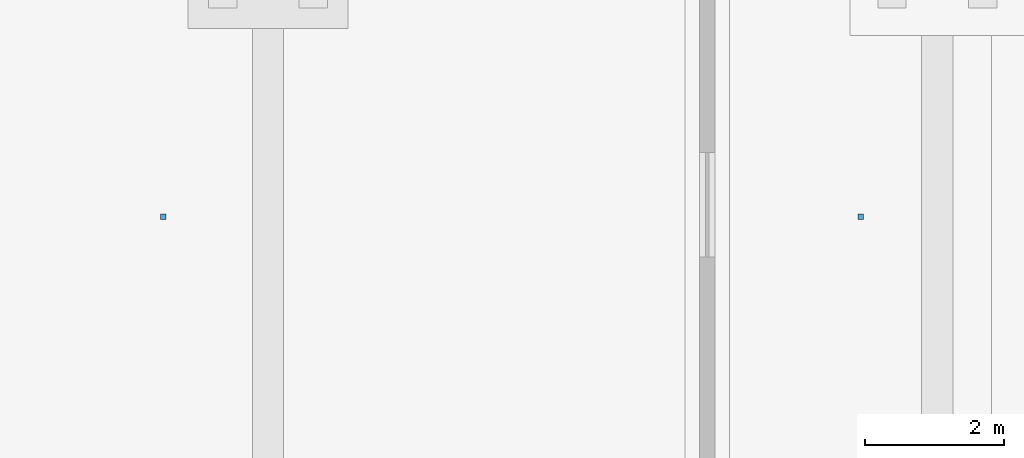
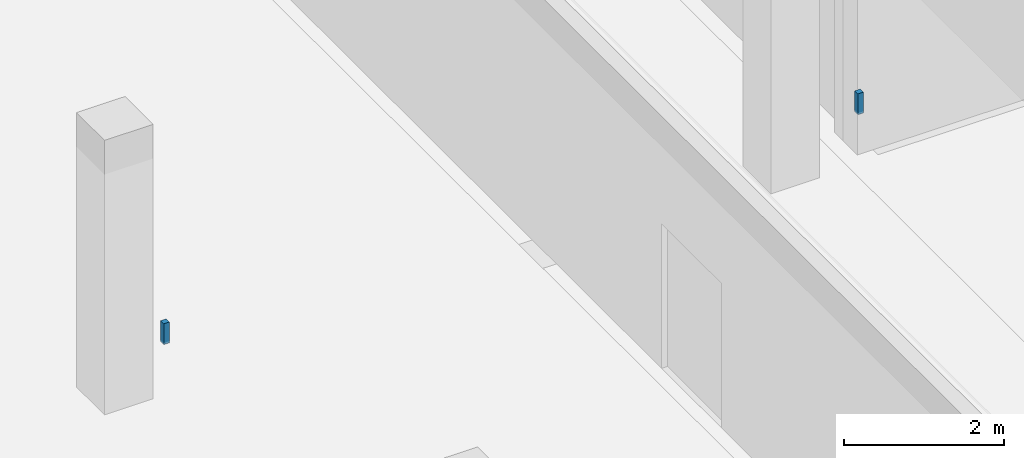
# One storey, part 21 of 31: 2 discrete accessories.
"""IFC4 building model written with IfcOpenShell, lengths in metres."""

from ifc_helpers import new_model, si_unit, direction, frame, origin, origin_2d, place, context, subcontext, project, spatial, rectangle, extrude, material, type_object, element, save


model = new_model("IFC4")

# Units and contexts
model_context = context("Model", 3, precision=1e-05, world=origin(), true_north=direction((0.0, 1.0)))
body_context = subcontext(model_context, "Body", "Model", "MODEL_VIEW")
ifc_project = project(units=[si_unit("LENGTHUNIT", "METRE"), si_unit("AREAUNIT", "SQUARE_METRE"), si_unit("VOLUMEUNIT", "CUBIC_METRE"), si_unit("PLANEANGLEUNIT", "RADIAN"), si_unit("MASSUNIT", "GRAM", prefix="KILO")], contexts=[model_context])

# Site, building, storey
site_placement = place(None, origin())
site = spatial("IfcSite", under=ifc_project, at=site_placement, CompositionType="ELEMENT")
building_placement = place(site_placement, origin())
building = spatial("IfcBuilding", under=site, at=building_placement, Name="Chalmorin Arch Market", CompositionType="ELEMENT")
storey_placement = place(building_placement, frame((0.0, 0.0, -4.199951171875)))
storey = spatial("IfcBuildingStorey", under=building, at=storey_placement, Name="B1", CompositionType="ELEMENT", Elevation=-4.199951171875)

# Discrete accessories
ifc_material = material(Name="Galvanized Cold-Formed Steel", Category="steel")
discrete_accessory_type = type_object("IfcDiscreteAccessoryType", Name="CeilingSuspensionBracket-80x80", PredefinedType="BRACKET", material=ifc_material)
for number, where, z_axis, x_axis, name in (
    (1, (66.10009765625, 46.14990234375, 3.653076171875), (0.0, 0.0, 1.0), (1.0, 0.0, 0.0), "CSB-051"),
    (2, (56.10009765625, 46.14990234375, 3.653076171875), (0.0, 0.0, 1.0), (1.0, 0.0, 0.0), "CSB-053"),
):
    element("IfcDiscreteAccessory", number, at=place(storey_placement, frame(where, z_axis=z_axis, x_axis=x_axis)), inside=storey, type_object=discrete_accessory_type, Name=name, PredefinedType="BRACKET", context=body_context, shape_type="SweptSolid", body=[
        extrude(rectangle(XDim=0.080078125, YDim=0.080078125, at=origin_2d()), origin(), (0.0, 0.0, 1.0), 0.31689453125),
    ])

save(model, "model.ifc")
